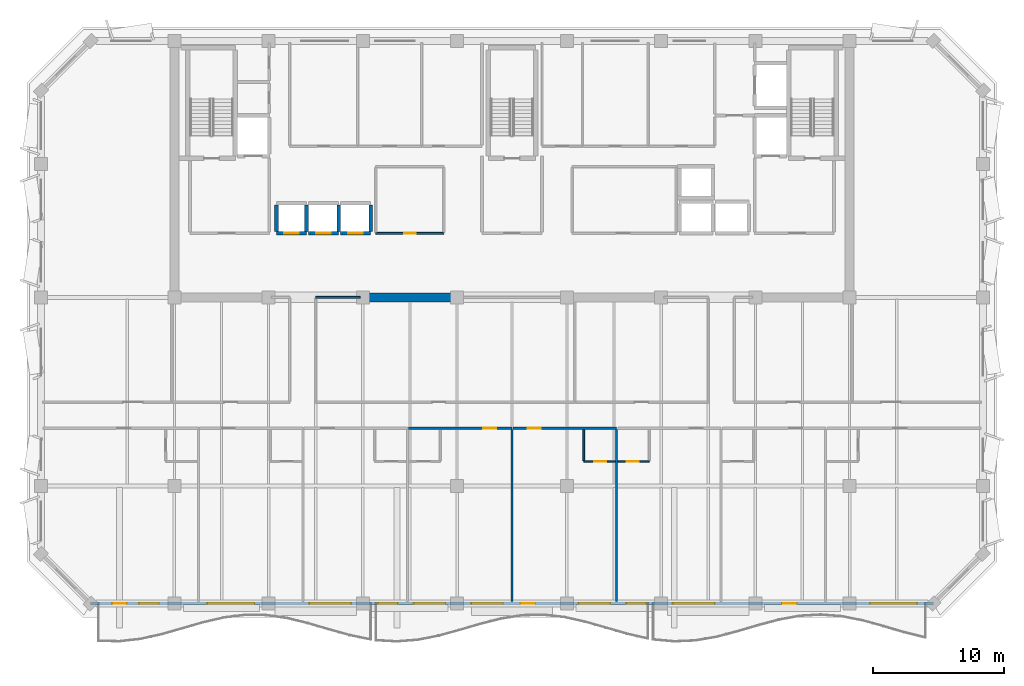
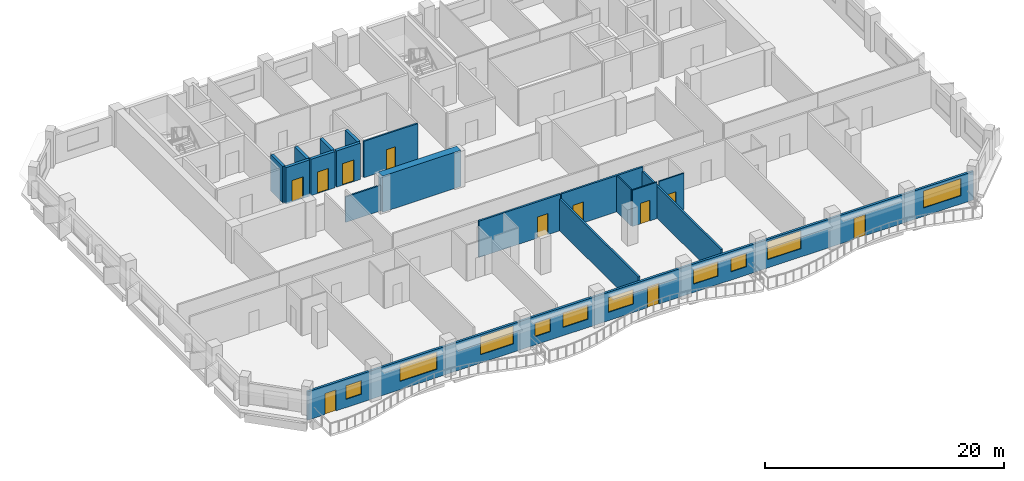
# One storey, part 4 of 11: 18 walls, 11 doors, 10 windows, 21 openings.
"""IFC4 building model written with IfcOpenShell, lengths in metres."""

from ifc_helpers import new_model, si_unit, direction, frame, frame_2d, origin, place, context, subcontext, project, spatial, rectangle, extrude, material, layer, layer_set, type_object, element, fill, save


model = new_model("IFC4")

# Units and contexts
model_context = context("Model", 3, precision=1e-05, world=origin(), true_north=direction((0.0, 1.0)))
body_context = subcontext(model_context, "Body", "Model", "MODEL_VIEW")
ifc_project = project(units=[si_unit("LENGTHUNIT", "METRE"), si_unit("AREAUNIT", "SQUARE_METRE"), si_unit("VOLUMEUNIT", "CUBIC_METRE"), si_unit("PLANEANGLEUNIT", "RADIAN"), si_unit("MASSUNIT", "GRAM", prefix="KILO")], contexts=[model_context])

# Site, building, storey
site_placement = place(None, origin())
site = spatial("IfcSite", under=ifc_project, at=site_placement, CompositionType="ELEMENT")
building_placement = place(site_placement, origin())
building = spatial("IfcBuilding", under=site, at=building_placement, Name="Kaelvorn Grand Hotel", CompositionType="ELEMENT")
storey_placement = place(building_placement, frame((0.0, 0.0, 244.949951171875)))
storey = spatial("IfcBuildingStorey", under=building, at=storey_placement, Name="L60", CompositionType="ELEMENT", Elevation=244.949951171875)

# Wall
ifc_material_1 = material(Name="Concrete C50/60", Category="concrete")
ifc_layer_1 = layer(ifc_material_1, 0.699951171875)
ifc_layer_set_1 = layer_set([ifc_layer_1], Name="Concrete C50/60")
wall_type_1 = type_object("IfcWallType", Name="WL-CORE-700-C50", PredefinedType="SHEAR", material=ifc_layer_set_1)
wall_1_placement = place(storey_placement, frame((30.39990234375, 29.39990234375, 0.0), z_axis=(0.0, 0.0, 1.0), x_axis=(1.0, 0.0, 0.0)))
element("IfcWall", 1, at=wall_1_placement, inside=storey, type_object=wall_type_1, Name="L60 Rear-Core Coupled Shear Pier S2", PredefinedType="SHEAR", context=body_context, shape_type="SweptSolid", body=[
    extrude(rectangle(XDim=7.60009765625, YDim=0.699951171875, at=frame_2d((3.800048828125, 0.0))), origin(), (0.0, 0.0, 1.0), 3.7099609375),
])

# Wall, openings, doors, windows
ifc_material_2 = material(Name="Concrete C40/50", Category="concrete")
ifc_layer_2 = layer(ifc_material_2, 0.219970703125)
ifc_layer_set_2 = layer_set([ifc_layer_2], Name="Concrete C40/50")
wall_type_2 = type_object("IfcWallType", Name="WL-EXT-220-C40", PredefinedType="SOLIDWALL", material=ifc_layer_set_2)
wall_2_placement = place(storey_placement, frame((9.800048828125, 6.0, 0.0), z_axis=(0.0, 0.0, 1.0), x_axis=(1.0, 0.0, 0.0)))
wall_2 = element("IfcWall", 2, at=wall_2_placement, inside=storey, type_object=wall_type_2, Name="L60 Exterior Architectural Concrete Wall 01", PredefinedType="SOLIDWALL", context=body_context, shape_type="SweptSolid", body=[
    extrude(rectangle(XDim=64.39990234375, YDim=0.219970703125, at=frame_2d((32.199951171875, 0.0))), origin(), (0.0, 0.0, 1.0), 2.91015625),
])
opening_1_placement = place(wall_2_placement, frame((1.64990234375, 0.0, 0.0)))
opening_1 = element("IfcOpeningElement", 3, at=opening_1_placement, cuts=wall_2, Name="Opening DE2", PredefinedType="OPENING", context=body_context, shape_type="SweptSolid", body=[
    extrude(rectangle(XDim=1.10009765625, YDim=2.14990234375, at=frame_2d((0.550048828125, 1.074951171875))), frame((0.0, 0.1201171875, 0.0), z_axis=(0.0, -1.0, 0.0), x_axis=(1.0, 0.0, 0.0)), (0.0, 0.0, 1.0), 0.239990234375),
])
opening_2_placement = place(wall_2_placement, frame((32.85009765625, 0.0, 0.0)))
opening_2 = element("IfcOpeningElement", 4, at=opening_2_placement, cuts=wall_2, Name="Opening DE2", PredefinedType="OPENING", context=body_context, shape_type="SweptSolid", body=[
    extrude(rectangle(XDim=1.10009765625, YDim=2.14990234375, at=frame_2d((0.550048828125, 1.074951171875))), frame((0.0, 0.1201171875, 0.0), z_axis=(0.0, -1.0, 0.0), x_axis=(1.0, 0.0, 0.0)), (0.0, 0.0, 1.0), 0.239990234375),
])
opening_3_placement = place(wall_2_placement, frame((52.85009765625, 0.0, 0.0)))
opening_3 = element("IfcOpeningElement", 5, at=opening_3_placement, cuts=wall_2, Name="Opening DE2", PredefinedType="OPENING", context=body_context, shape_type="SweptSolid", body=[
    extrude(rectangle(XDim=1.10009765625, YDim=2.14990234375, at=frame_2d((0.550048828125, 1.074951171875))), frame((0.0, 0.1201171875, 0.0), z_axis=(0.0, -1.0, 0.0), x_axis=(1.0, 0.0, 0.0)), (0.0, 0.0, 1.0), 0.239990234375),
])
opening_4_placement = place(wall_2_placement, frame((3.7099609375, 0.0, 0.85009765625)))
opening_4 = element("IfcOpeningElement", 6, at=opening_4_placement, cuts=wall_2, Name="Opening W10", PredefinedType="OPENING", context=body_context, shape_type="SweptSolid", body=[
    extrude(rectangle(XDim=1.5, YDim=1.39990234375, at=frame_2d((0.75, 0.699951171875))), frame((0.0, 0.1201171875, 0.0), z_axis=(0.0, -1.0, 0.0), x_axis=(1.0, 0.0, 0.0)), (0.0, 0.0, 1.0), 0.239990234375),
])
opening_5_placement = place(wall_2_placement, frame((8.9189453125, 0.0, 0.85009765625)))
opening_5 = element("IfcOpeningElement", 7, at=opening_5_placement, cuts=wall_2, Name="Opening W3", PredefinedType="OPENING", context=body_context, shape_type="SweptSolid", body=[
    extrude(rectangle(XDim=3.60009765625, YDim=1.75, at=frame_2d((1.800048828125, 0.875))), frame((0.0, 0.1201171875, 0.0), z_axis=(0.0, -1.0, 0.0), x_axis=(1.0, 0.0, 0.0)), (0.0, 0.0, 1.0), 0.239990234375),
])
opening_6_placement = place(wall_2_placement, frame((16.71240234375, 0.0, 0.85009765625)))
opening_6 = element("IfcOpeningElement", 8, at=opening_6_placement, cuts=wall_2, Name="Opening W4", PredefinedType="OPENING", context=body_context, shape_type="SweptSolid", body=[
    extrude(rectangle(XDim=3.199951171875, YDim=1.85009765625, at=frame_2d((1.60009765625, 0.925048828125))), frame((0.0, 0.1201171875, 0.0), z_axis=(0.0, -1.0, 0.0), x_axis=(1.0, 0.0, 0.0)), (0.0, 0.0, 1.0), 0.239990234375),
])
opening_7_placement = place(wall_2_placement, frame((21.95654296875, 0.0, 0.85009765625)))
opening_7 = element("IfcOpeningElement", 9, at=opening_7_placement, cuts=wall_2, Name="Opening W10", PredefinedType="OPENING", context=body_context, shape_type="SweptSolid", body=[
    extrude(rectangle(XDim=1.5, YDim=1.39990234375, at=frame_2d((0.75, 0.699951171875))), frame((0.0, 0.1201171875, 0.0), z_axis=(0.0, -1.0, 0.0), x_axis=(1.0, 0.0, 0.0)), (0.0, 0.0, 1.0), 0.239990234375),
])
opening_8_placement = place(wall_2_placement, frame((24.70654296875, 0.0, 0.85009765625)))
opening_8 = element("IfcOpeningElement", 10, at=opening_8_placement, cuts=wall_2, Name="Opening W6", PredefinedType="OPENING", context=body_context, shape_type="SweptSolid", body=[
    extrude(rectangle(XDim=2.39990234375, YDim=1.5, at=frame_2d((1.199951171875, 0.75))), frame((0.0, 0.1201171875, 0.0), z_axis=(0.0, -1.0, 0.0), x_axis=(1.0, 0.0, 0.0)), (0.0, 0.0, 1.0), 0.239990234375),
])
opening_9_placement = place(wall_2_placement, frame((29.10009765625, 0.0, 0.85009765625)))
opening_9 = element("IfcOpeningElement", 11, at=opening_9_placement, cuts=wall_2, Name="Opening W6", PredefinedType="OPENING", context=body_context, shape_type="SweptSolid", body=[
    extrude(rectangle(XDim=2.39990234375, YDim=1.5, at=frame_2d((1.199951171875, 0.75))), frame((0.0, 0.1201171875, 0.0), z_axis=(0.0, -1.0, 0.0), x_axis=(1.0, 0.0, 0.0)), (0.0, 0.0, 1.0), 0.239990234375),
])
opening_10_placement = place(wall_2_placement, frame((37.29345703125, 0.0, 0.85009765625)))
opening_10 = element("IfcOpeningElement", 12, at=opening_10_placement, cuts=wall_2, Name="Opening W6", PredefinedType="OPENING", context=body_context, shape_type="SweptSolid", body=[
    extrude(rectangle(XDim=2.39990234375, YDim=1.5, at=frame_2d((1.199951171875, 0.75))), frame((0.0, 0.1201171875, 0.0), z_axis=(0.0, -1.0, 0.0), x_axis=(1.0, 0.0, 0.0)), (0.0, 0.0, 1.0), 0.239990234375),
])
opening_11_placement = place(wall_2_placement, frame((40.943603515625, 0.0, 0.85009765625)))
opening_11 = element("IfcOpeningElement", 13, at=opening_11_placement, cuts=wall_2, Name="Opening W10", PredefinedType="OPENING", context=body_context, shape_type="SweptSolid", body=[
    extrude(rectangle(XDim=1.5, YDim=1.39990234375, at=frame_2d((0.75, 0.699951171875))), frame((0.0, 0.1201171875, 0.0), z_axis=(0.0, -1.0, 0.0), x_axis=(1.0, 0.0, 0.0)), (0.0, 0.0, 1.0), 0.239990234375),
])
opening_12_placement = place(wall_2_placement, frame((44.487548828125, 0.0, 0.85009765625)))
opening_12 = element("IfcOpeningElement", 14, at=opening_12_placement, cuts=wall_2, Name="Opening W4", PredefinedType="OPENING", context=body_context, shape_type="SweptSolid", body=[
    extrude(rectangle(XDim=3.199951171875, YDim=1.85009765625, at=frame_2d((1.60009765625, 0.925048828125))), frame((0.0, 0.1201171875, 0.0), z_axis=(0.0, -1.0, 0.0), x_axis=(1.0, 0.0, 0.0)), (0.0, 0.0, 1.0), 0.239990234375),
])
opening_13_placement = place(wall_2_placement, frame((59.56494140625, 0.0, 0.85009765625)))
opening_13 = element("IfcOpeningElement", 15, at=opening_13_placement, cuts=wall_2, Name="Opening W3", PredefinedType="OPENING", context=body_context, shape_type="SweptSolid", body=[
    extrude(rectangle(XDim=3.60009765625, YDim=1.75, at=frame_2d((1.800048828125, 0.875))), frame((0.0, 0.1201171875, 0.0), z_axis=(0.0, -1.0, 0.0), x_axis=(1.0, 0.0, 0.0)), (0.0, 0.0, 1.0), 0.239990234375),
])
ifc_material_3 = material(Name="Anodised Aluminium", Category="aluminium")
door_type_1 = type_object("IfcDoorType", Name="DR-EXT-BALC-1100x2150", OperationType="NOTDEFINED", PredefinedType="DOOR", material=ifc_material_3)
door_1_placement = place(opening_1_placement, origin())
door_1 = element("IfcDoor", 16, at=door_1_placement, inside=storey, type_object=door_type_1, Name="L60 Scalloped Balcony Glazed Door DE2-1", OperationType="SINGLE_SWING_LEFT", OverallHeight=2.14990234375, OverallWidth=1.10009765625, PredefinedType="DOOR", context=body_context, shape_type="SweptSolid", body=[
    extrude(rectangle(XDim=1.10009765625, YDim=2.14990234375, at=frame_2d((0.550048828125, 1.074951171875))), frame((0.0, 0.02490234375, 0.0), z_axis=(0.0, -1.0, 0.0), x_axis=(1.0, 0.0, 0.0)), (0.0, 0.0, 1.0), 0.050048828125),
])
fill(opening_1, door_1)
door_2_placement = place(opening_2_placement, origin())
door_2 = element("IfcDoor", 17, at=door_2_placement, inside=storey, type_object=door_type_1, Name="L60 Scalloped Balcony Glazed Door DE2-2", OperationType="SINGLE_SWING_RIGHT", OverallHeight=2.14990234375, OverallWidth=1.10009765625, PredefinedType="DOOR", context=body_context, shape_type="SweptSolid", body=[
    extrude(rectangle(XDim=1.10009765625, YDim=2.14990234375, at=frame_2d((0.550048828125, 1.074951171875))), frame((0.0, 0.02490234375, 0.0), z_axis=(0.0, -1.0, 0.0), x_axis=(1.0, 0.0, 0.0)), (0.0, 0.0, 1.0), 0.050048828125),
])
fill(opening_2, door_2)
door_3_placement = place(opening_3_placement, origin())
door_3 = element("IfcDoor", 18, at=door_3_placement, inside=storey, type_object=door_type_1, Name="L60 Scalloped Balcony Glazed Door DE2-3", OperationType="SINGLE_SWING_LEFT", OverallHeight=2.14990234375, OverallWidth=1.10009765625, PredefinedType="DOOR", context=body_context, shape_type="SweptSolid", body=[
    extrude(rectangle(XDim=1.10009765625, YDim=2.14990234375, at=frame_2d((0.550048828125, 1.074951171875))), frame((0.0, 0.02490234375, 0.0), z_axis=(0.0, -1.0, 0.0), x_axis=(1.0, 0.0, 0.0)), (0.0, 0.0, 1.0), 0.050048828125),
])
fill(opening_3, door_3)
ifc_material_4 = material(Name="Laminated Low-E Glass", Category="glass")
window_type_1 = type_object("IfcWindowType", Name="WIN-COR-1500x1400", PartitioningType="SINGLE_PANEL", PredefinedType="WINDOW", material=ifc_material_4)
window_1_placement = place(opening_4_placement, origin())
window_1 = element("IfcWindow", 19, at=window_1_placement, inside=storey, type_object=window_type_1, Name="L60 South Guestroom Ribbon Window SR01", OverallHeight=1.39990234375, OverallWidth=1.5, PartitioningType="SINGLE_PANEL", PredefinedType="WINDOW", context=body_context, shape_type="SweptSolid", body=[
    extrude(rectangle(XDim=1.5, YDim=1.39990234375, at=frame_2d((0.75, 0.699951171875))), frame((0.0, 0.030029296875, 0.0), z_axis=(0.0, -1.0, 0.0), x_axis=(1.0, 0.0, 0.0)), (0.0, 0.0, 1.0), 0.06005859375),
])
fill(opening_4, window_1)
window_2_placement = place(opening_7_placement, origin())
window_2 = element("IfcWindow", 20, at=window_2_placement, inside=storey, type_object=window_type_1, Name="L60 South Guestroom Ribbon Window SR04", OverallHeight=1.39990234375, OverallWidth=1.5, PartitioningType="SINGLE_PANEL", PredefinedType="WINDOW", context=body_context, shape_type="SweptSolid", body=[
    extrude(rectangle(XDim=1.5, YDim=1.39990234375, at=frame_2d((0.75, 0.699951171875))), frame((0.0, 0.030029296875, 0.0), z_axis=(0.0, -1.0, 0.0), x_axis=(1.0, 0.0, 0.0)), (0.0, 0.0, 1.0), 0.06005859375),
])
fill(opening_7, window_2)
window_3_placement = place(opening_11_placement, origin())
window_3 = element("IfcWindow", 21, at=window_3_placement, inside=storey, type_object=window_type_1, Name="L60 South Guestroom Ribbon Window SR08", OverallHeight=1.39990234375, OverallWidth=1.5, PartitioningType="SINGLE_PANEL", PredefinedType="WINDOW", context=body_context, shape_type="SweptSolid", body=[
    extrude(rectangle(XDim=1.5, YDim=1.39990234375, at=frame_2d((0.75, 0.699951171875))), frame((0.0, 0.030029296875, 0.0), z_axis=(0.0, -1.0, 0.0), x_axis=(1.0, 0.0, 0.0)), (0.0, 0.0, 1.0), 0.06005859375),
])
fill(opening_11, window_3)
window_type_2 = type_object("IfcWindowType", Name="WIN-NTH-2400x1500", PartitioningType="SINGLE_PANEL", PredefinedType="WINDOW", material=ifc_material_4)
window_4_placement = place(opening_8_placement, origin())
window_4 = element("IfcWindow", 22, at=window_4_placement, inside=storey, type_object=window_type_2, Name="L60 South Guestroom Ribbon Window SR05", OverallHeight=1.5, OverallWidth=2.39990234375, PartitioningType="SINGLE_PANEL", PredefinedType="WINDOW", context=body_context, shape_type="SweptSolid", body=[
    extrude(rectangle(XDim=2.39990234375, YDim=1.5, at=frame_2d((1.199951171875, 0.75))), frame((0.0, 0.030029296875, 0.0), z_axis=(0.0, -1.0, 0.0), x_axis=(1.0, 0.0, 0.0)), (0.0, 0.0, 1.0), 0.06005859375),
])
fill(opening_8, window_4)
window_5_placement = place(opening_9_placement, origin())
window_5 = element("IfcWindow", 23, at=window_5_placement, inside=storey, type_object=window_type_2, Name="L60 South Guestroom Ribbon Window SR06", OverallHeight=1.5, OverallWidth=2.39990234375, PartitioningType="SINGLE_PANEL", PredefinedType="WINDOW", context=body_context, shape_type="SweptSolid", body=[
    extrude(rectangle(XDim=2.39990234375, YDim=1.5, at=frame_2d((1.199951171875, 0.75))), frame((0.0, 0.030029296875, 0.0), z_axis=(0.0, -1.0, 0.0), x_axis=(1.0, 0.0, 0.0)), (0.0, 0.0, 1.0), 0.06005859375),
])
fill(opening_9, window_5)
window_6_placement = place(opening_10_placement, origin())
window_6 = element("IfcWindow", 24, at=window_6_placement, inside=storey, type_object=window_type_2, Name="L60 South Guestroom Ribbon Window SR07", OverallHeight=1.5, OverallWidth=2.39990234375, PartitioningType="SINGLE_PANEL", PredefinedType="WINDOW", context=body_context, shape_type="SweptSolid", body=[
    extrude(rectangle(XDim=2.39990234375, YDim=1.5, at=frame_2d((1.199951171875, 0.75))), frame((0.0, 0.030029296875, 0.0), z_axis=(0.0, -1.0, 0.0), x_axis=(1.0, 0.0, 0.0)), (0.0, 0.0, 1.0), 0.06005859375),
])
fill(opening_10, window_6)
window_type_3 = type_object("IfcWindowType", Name="WIN-RIB-3200x1850", PartitioningType="SINGLE_PANEL", PredefinedType="WINDOW", material=ifc_material_4)
window_7_placement = place(opening_6_placement, origin())
window_7 = element("IfcWindow", 25, at=window_7_placement, inside=storey, type_object=window_type_3, Name="L60 South Guestroom Ribbon Window SR03", OverallHeight=1.85009765625, OverallWidth=3.199951171875, PartitioningType="SINGLE_PANEL", PredefinedType="WINDOW", context=body_context, shape_type="SweptSolid", body=[
    extrude(rectangle(XDim=3.199951171875, YDim=1.85009765625, at=frame_2d((1.60009765625, 0.925048828125))), frame((0.0, 0.030029296875, 0.0), z_axis=(0.0, -1.0, 0.0), x_axis=(1.0, 0.0, 0.0)), (0.0, 0.0, 1.0), 0.06005859375),
])
fill(opening_6, window_7)
window_8_placement = place(opening_12_placement, origin())
window_8 = element("IfcWindow", 26, at=window_8_placement, inside=storey, type_object=window_type_3, Name="L60 South Guestroom Ribbon Window SR09", OverallHeight=1.85009765625, OverallWidth=3.199951171875, PartitioningType="SINGLE_PANEL", PredefinedType="WINDOW", context=body_context, shape_type="SweptSolid", body=[
    extrude(rectangle(XDim=3.199951171875, YDim=1.85009765625, at=frame_2d((1.60009765625, 0.925048828125))), frame((0.0, 0.030029296875, 0.0), z_axis=(0.0, -1.0, 0.0), x_axis=(1.0, 0.0, 0.0)), (0.0, 0.0, 1.0), 0.06005859375),
])
fill(opening_12, window_8)
window_type_4 = type_object("IfcWindowType", Name="WIN-RIB-3600x1750", PartitioningType="SINGLE_PANEL", PredefinedType="WINDOW", material=ifc_material_4)
window_9_placement = place(opening_5_placement, origin())
window_9 = element("IfcWindow", 27, at=window_9_placement, inside=storey, type_object=window_type_4, Name="L60 South Guestroom Ribbon Window SR02", OverallHeight=1.75, OverallWidth=3.60009765625, PartitioningType="SINGLE_PANEL", PredefinedType="WINDOW", context=body_context, shape_type="SweptSolid", body=[
    extrude(rectangle(XDim=3.60009765625, YDim=1.75, at=frame_2d((1.800048828125, 0.875))), frame((0.0, 0.030029296875, 0.0), z_axis=(0.0, -1.0, 0.0), x_axis=(1.0, 0.0, 0.0)), (0.0, 0.0, 1.0), 0.06005859375),
])
fill(opening_5, window_9)
window_10_placement = place(opening_13_placement, origin())
window_10 = element("IfcWindow", 28, at=window_10_placement, inside=storey, type_object=window_type_4, Name="L60 South Guestroom Ribbon Window SR10", OverallHeight=1.75, OverallWidth=3.60009765625, PartitioningType="SINGLE_PANEL", PredefinedType="WINDOW", context=body_context, shape_type="SweptSolid", body=[
    extrude(rectangle(XDim=3.60009765625, YDim=1.75, at=frame_2d((1.800048828125, 0.875))), frame((0.0, 0.030029296875, 0.0), z_axis=(0.0, -1.0, 0.0), x_axis=(1.0, 0.0, 0.0)), (0.0, 0.0, 1.0), 0.06005859375),
])
fill(opening_13, window_10)

# Wall, opening, door
ifc_material_5 = material(Name="Moisture-Resistant Tile & Stud Board")
ifc_layer_3 = layer(ifc_material_5, 0.125)
ifc_layer_set_3 = layer_set([ifc_layer_3], Name="Moisture-Resistant Tile & Stud Board")
wall_type_3 = type_object("IfcWallType", Name="WL-PART-125-WET", PredefinedType="PARTITIONING", material=ifc_layer_set_3)
wall_3_placement = place(storey_placement, frame((47.487548828125, 16.85009765625, 0.0), z_axis=(0.0, 0.0, 1.0), x_axis=(1.0, 0.0, 0.0)))
wall_3 = element("IfcWall", 29, at=wall_3_placement, inside=storey, type_object=wall_type_3, Name="L60 En-suite Bathroom L60-05 S Partition", PredefinedType="PARTITIONING", context=body_context, shape_type="SweptSolid", body=[
    extrude(rectangle(XDim=2.405029296875, YDim=0.125, at=frame_2d((1.20263671875, 0.0))), origin(), (0.0, 0.0, 1.0), 3.7099609375),
])
opening_14_placement = place(wall_3_placement, frame((0.800048828125, 0.0, 0.0)))
opening_14 = element("IfcOpeningElement", 30, at=opening_14_placement, cuts=wall_3, Name="Opening DI4", PredefinedType="OPENING", context=body_context, shape_type="SweptSolid", body=[
    extrude(rectangle(XDim=0.89990234375, YDim=2.10009765625, at=frame_2d((0.449951171875, 1.050048828125))), frame((0.0, 0.072509765625, 0.0), z_axis=(0.0, -1.0, 0.0), x_axis=(1.0, 0.0, 0.0)), (0.0, 0.0, 1.0), 0.14501953125),
])
ifc_material_6 = material(Name="Timber Veneer Leaf", Category="wood")
door_type_2 = type_object("IfcDoorType", Name="DR-INT-BATH-900x2100", OperationType="NOTDEFINED", PredefinedType="DOOR", material=ifc_material_6)
door_4_placement = place(opening_14_placement, origin())
door_4 = element("IfcDoor", 31, at=door_4_placement, inside=storey, type_object=door_type_2, Name="L60 En-suite Bathroom L60-05 Door", OperationType="SINGLE_SWING_RIGHT", OverallHeight=2.10009765625, OverallWidth=0.89990234375, PredefinedType="DOOR", context=body_context, shape_type="SweptSolid", body=[
    extrude(rectangle(XDim=0.89990234375, YDim=2.10009765625, at=frame_2d((0.449951171875, 1.050048828125))), frame((0.0, 0.02490234375, 0.0), z_axis=(0.0, -1.0, 0.0), x_axis=(1.0, 0.0, 0.0)), (0.0, 0.0, 1.0), 0.050048828125),
])
fill(opening_14, door_4)

# Wall
wall_4_placement = place(storey_placement, frame((47.487548828125, 16.91748046875, 0.0), z_axis=(0.0, 0.0, 1.0), x_axis=(0.0, 1.0, 0.0)))
element("IfcWall", 32, at=wall_4_placement, inside=storey, type_object=wall_type_3, Name="L60 En-suite Bathroom L60-05 W Partition", PredefinedType="PARTITIONING", context=body_context, shape_type="SweptSolid", body=[
    extrude(rectangle(XDim=2.387451171875, YDim=0.125, at=frame_2d((1.19384765625, 0.0))), origin(), (0.0, 0.0, 1.0), 3.7099609375),
])

# Wall, opening, door
wall_5_placement = place(storey_placement, frame((50.08251953125, 16.85009765625, 0.0), z_axis=(0.0, 0.0, 1.0), x_axis=(1.0, 0.0, 0.0)))
wall_5 = element("IfcWall", 33, at=wall_5_placement, inside=storey, type_object=wall_type_3, Name="L60 En-suite Bathroom L60-06 S Partition", PredefinedType="PARTITIONING", context=body_context, shape_type="SweptSolid", body=[
    extrude(rectangle(XDim=2.405029296875, YDim=0.125, at=frame_2d((1.20263671875, 0.0))), origin(), (0.0, 0.0, 1.0), 3.7099609375),
])
opening_15_placement = place(wall_5_placement, frame((0.705078125, 0.0, 0.0)))
opening_15 = element("IfcOpeningElement", 34, at=opening_15_placement, cuts=wall_5, Name="Opening DI4", PredefinedType="OPENING", context=body_context, shape_type="SweptSolid", body=[
    extrude(rectangle(XDim=0.89990234375, YDim=2.10009765625, at=frame_2d((0.449951171875, 1.050048828125))), frame((0.0, 0.072509765625, 0.0), z_axis=(0.0, -1.0, 0.0), x_axis=(1.0, 0.0, 0.0)), (0.0, 0.0, 1.0), 0.14501953125),
])
door_5_placement = place(opening_15_placement, origin())
door_5 = element("IfcDoor", 35, at=door_5_placement, inside=storey, type_object=door_type_2, Name="L60 En-suite Bathroom L60-06 Door", OperationType="SINGLE_SWING_RIGHT", OverallHeight=2.10009765625, OverallWidth=0.89990234375, PredefinedType="DOOR", context=body_context, shape_type="SweptSolid", body=[
    extrude(rectangle(XDim=0.89990234375, YDim=2.10009765625, at=frame_2d((0.449951171875, 1.050048828125))), frame((0.0, 0.02490234375, 0.0), z_axis=(0.0, -1.0, 0.0), x_axis=(1.0, 0.0, 0.0)), (0.0, 0.0, 1.0), 0.050048828125),
])
fill(opening_15, door_5)

ifc_material_7 = material(Name="Acoustic Gypsum & Stud Partition")
ifc_layer_4 = layer(ifc_material_7, 0.14990234375)
ifc_layer_set_4 = layer_set([ifc_layer_4], Name="Acoustic Gypsum & Stud Partition")
wall_type_4 = type_object("IfcWallType", Name="WL-PART-150-EI60", PredefinedType="PARTITIONING", material=ifc_layer_set_4)
wall_6_placement = place(storey_placement, frame((31.60009765625, 34.300048828125, 0.0), z_axis=(0.0, 0.0, 1.0), x_axis=(1.0, 0.0, 0.0)))
wall_6 = element("IfcWall", 36, at=wall_6_placement, inside=storey, type_object=wall_type_4, Name="L60 Core Telecoms & BMS Server Room S Partition", PredefinedType="PARTITIONING", context=body_context, shape_type="SweptSolid", body=[
    extrude(rectangle(XDim=5.199951171875, YDim=0.14990234375, at=frame_2d((2.60009765625, 0.0))), origin(), (0.0, 0.0, 1.0), 3.7099609375),
])
opening_16_placement = place(wall_6_placement, frame((2.175048828125, 0.0, 0.0)))
opening_16 = element("IfcOpeningElement", 37, at=opening_16_placement, cuts=wall_6, Name="Opening DI7", PredefinedType="OPENING", context=body_context, shape_type="SweptSolid", body=[
    extrude(rectangle(XDim=0.85009765625, YDim=2.10009765625, at=frame_2d((0.425048828125, 1.050048828125))), frame((0.0, 0.0849609375, 0.0), z_axis=(0.0, -1.0, 0.0), x_axis=(1.0, 0.0, 0.0)), (0.0, 0.0, 1.0), 0.169921875),
])
ifc_material_8 = material(Name="Powder-Coated Steel Leaf", Category="steel")
door_type_3 = type_object("IfcDoorType", Name="DR-INT-RISER-850x2100", OperationType="NOTDEFINED", PredefinedType="DOOR", material=ifc_material_8)
door_6_placement = place(opening_16_placement, origin())
door_6 = element("IfcDoor", 38, at=door_6_placement, inside=storey, type_object=door_type_3, Name="L60 Core Telecoms & BMS Server Room Door", OperationType="SINGLE_SWING_LEFT", OverallHeight=2.10009765625, OverallWidth=0.85009765625, PredefinedType="DOOR", context=body_context, shape_type="SweptSolid", body=[
    extrude(rectangle(XDim=0.85009765625, YDim=2.10009765625, at=frame_2d((0.425048828125, 1.050048828125))), frame((0.0, 0.02490234375, 0.0), z_axis=(0.0, -1.0, 0.0), x_axis=(1.0, 0.0, 0.0)), (0.0, 0.0, 1.0), 0.050048828125),
])
fill(opening_16, door_6)

# Wall
wall_7_placement = place(storey_placement, frame((27.0, 29.39990234375, 0.0), z_axis=(0.0, 0.0, 1.0), x_axis=(1.0, 0.0, 0.0)))
element("IfcWall", 39, at=wall_7_placement, inside=storey, type_object=wall_type_4, Name="L60 Hospitality Tea Kitchen N Partition (1)", PredefinedType="PARTITIONING", context=body_context, shape_type="SweptSolid", body=[
    extrude(rectangle(XDim=3.389892578125, YDim=0.14990234375, at=frame_2d((1.69482421875, 0.0))), origin(), (0.0, 0.0, 1.0), 2.610107421875),
])

# Wall, opening, door
ifc_layer_5 = layer(ifc_material_7, 0.179931640625)
ifc_layer_set_5 = layer_set([ifc_layer_5], Name="Acoustic Gypsum & Stud Partition")
wall_type_5 = type_object("IfcWallType", Name="WL-PART-180-EI60", PredefinedType="PARTITIONING", material=ifc_layer_set_5)
wall_8_placement = place(storey_placement, frame((34.107421875, 19.39990234375, 0.0), z_axis=(0.0, 0.0, 1.0), x_axis=(1.0, 0.0, 0.0)))
wall_8 = element("IfcWall", 40, at=wall_8_placement, inside=storey, type_object=wall_type_5, Name="L60 Ambassador Junior Suite L60-04 N Partition", PredefinedType="PARTITIONING", context=body_context, shape_type="SweptSolid", body=[
    extrude(rectangle(XDim=7.892578125, YDim=0.179931640625, at=frame_2d((3.9462890625, 0.0))), origin(), (0.0, 0.0, 1.0), 3.7099609375),
])
opening_17_placement = place(wall_8_placement, frame((5.6826171875, 0.0, 0.0)))
opening_17 = element("IfcOpeningElement", 41, at=opening_17_placement, cuts=wall_8, Name="Opening DI3", PredefinedType="OPENING", context=body_context, shape_type="SweptSolid", body=[
    extrude(rectangle(XDim=1.0, YDim=2.14990234375, at=frame_2d((0.5, 1.074951171875))), frame((0.0, 0.10009765625, 0.0), z_axis=(0.0, -1.0, 0.0), x_axis=(1.0, 0.0, 0.0)), (0.0, 0.0, 1.0), 0.199951171875),
])
ifc_material_9 = material(Name="Timber Veneer Fire Leaf", Category="wood")
door_type_4 = type_object("IfcDoorType", Name="DR-INT-GUEST-1000x2150", OperationType="NOTDEFINED", PredefinedType="DOOR", material=ifc_material_9)
door_7_placement = place(opening_17_placement, origin())
door_7 = element("IfcDoor", 42, at=door_7_placement, inside=storey, type_object=door_type_4, Name="L60 Ambassador Junior Suite L60-04 Door", OperationType="SINGLE_SWING_LEFT", OverallHeight=2.14990234375, OverallWidth=1.0, PredefinedType="DOOR", context=body_context, shape_type="SweptSolid", body=[
    extrude(rectangle(XDim=1.0, YDim=2.14990234375, at=frame_2d((0.5, 1.074951171875))), frame((0.0, 0.02490234375, 0.0), z_axis=(0.0, -1.0, 0.0), x_axis=(1.0, 0.0, 0.0)), (0.0, 0.0, 1.0), 0.050048828125),
])
fill(opening_17, door_7)

# Wall
wall_9_placement = place(storey_placement, frame((42.0, 6.14990234375, 0.0), z_axis=(0.0, 0.0, 1.0), x_axis=(0.0, 1.0, 0.0)))
element("IfcWall", 43, at=wall_9_placement, inside=storey, type_object=wall_type_5, Name="L60 Ambassador Junior Suite L60-04 E Partition", PredefinedType="PARTITIONING", context=body_context, shape_type="SweptSolid", body=[
    extrude(rectangle(XDim=13.155029296875, YDim=0.179931640625, at=frame_2d((6.57763671875, 0.0))), origin(), (0.0, 0.0, 1.0), 3.260009765625),
])

# Wall, opening, door
wall_10_placement = place(storey_placement, frame((42.094970703125, 19.39990234375, 0.0), z_axis=(0.0, 0.0, 1.0), x_axis=(1.0, 0.0, 0.0)))
wall_10 = element("IfcWall", 44, at=wall_10_placement, inside=storey, type_object=wall_type_5, Name="L60 Ambassador Sky Suite L60-05 N Partition", PredefinedType="PARTITIONING", context=body_context, shape_type="SweptSolid", body=[
    extrude(rectangle(XDim=7.892578125, YDim=0.179931640625, at=frame_2d((3.9462890625, 0.0))), origin(), (0.0, 0.0, 1.0), 3.7099609375),
])
opening_18_placement = place(wall_10_placement, frame((1.114990234375, 0.0, 0.0)))
opening_18 = element("IfcOpeningElement", 45, at=opening_18_placement, cuts=wall_10, Name="Opening DI3", PredefinedType="OPENING", context=body_context, shape_type="SweptSolid", body=[
    extrude(rectangle(XDim=1.0, YDim=2.14990234375, at=frame_2d((0.5, 1.074951171875))), frame((0.0, 0.10009765625, 0.0), z_axis=(0.0, -1.0, 0.0), x_axis=(1.0, 0.0, 0.0)), (0.0, 0.0, 1.0), 0.199951171875),
])
door_8_placement = place(opening_18_placement, origin())
door_8 = element("IfcDoor", 46, at=door_8_placement, inside=storey, type_object=door_type_4, Name="L60 Ambassador Sky Suite L60-05 Door", OperationType="SINGLE_SWING_LEFT", OverallHeight=2.14990234375, OverallWidth=1.0, PredefinedType="DOOR", context=body_context, shape_type="SweptSolid", body=[
    extrude(rectangle(XDim=1.0, YDim=2.14990234375, at=frame_2d((0.5, 1.074951171875))), frame((0.0, 0.02490234375, 0.0), z_axis=(0.0, -1.0, 0.0), x_axis=(1.0, 0.0, 0.0)), (0.0, 0.0, 1.0), 0.050048828125),
])
fill(opening_18, door_8)

# Wall
wall_11_placement = place(storey_placement, frame((49.987548828125, 6.14990234375, 0.0), z_axis=(0.0, 0.0, 1.0), x_axis=(0.0, 1.0, 0.0)))
element("IfcWall", 47, at=wall_11_placement, inside=storey, type_object=wall_type_5, Name="L60 Ambassador Sky Suite L60-05 E Partition", PredefinedType="PARTITIONING", context=body_context, shape_type="SweptSolid", body=[
    extrude(rectangle(XDim=13.155029296875, YDim=0.179931640625, at=frame_2d((6.57763671875, 0.0))), origin(), (0.0, 0.0, 1.0), 3.260009765625),
])

# Wall, opening, door
ifc_layer_6 = layer(ifc_material_1, 0.280029296875)
ifc_layer_set_6 = layer_set([ifc_layer_6], Name="Concrete C50/60")
wall_type_6 = type_object("IfcWallType", Name="WL-SHAFT-280-C50", PredefinedType="SHEAR", material=ifc_layer_set_6)
wall_12_placement = place(storey_placement, frame((24.0, 34.300048828125, 0.0), z_axis=(0.0, 0.0, 1.0), x_axis=(1.0, 0.0, 0.0)))
wall_12 = element("IfcWall", 48, at=wall_12_placement, inside=storey, type_object=wall_type_6, Name="L60 Lift PL-H1 Shaft South Wall", PredefinedType="SHEAR", context=body_context, shape_type="SweptSolid", body=[
    extrude(rectangle(XDim=2.300048828125, YDim=0.280029296875, at=frame_2d((1.14990234375, 0.0))), origin(), (0.0, 0.0, 1.0), 3.7099609375),
])
opening_19_placement = place(wall_12_placement, frame((0.60009765625, 0.0, 0.0)))
opening_19 = element("IfcOpeningElement", 49, at=opening_19_placement, cuts=wall_12, Name="Opening LD-PL-H1", PredefinedType="OPENING", context=body_context, shape_type="SweptSolid", body=[
    extrude(rectangle(XDim=1.10009765625, YDim=2.199951171875, at=frame_2d((0.550048828125, 1.10009765625))), frame((0.0, 0.14990234375, 0.0), z_axis=(0.0, -1.0, 0.0), x_axis=(1.0, 0.0, 0.0)), (0.0, 0.0, 1.0), 0.300048828125),
])
ifc_material_10 = material(Name="Stainless Steel", Category="steel")
door_type_5 = type_object("IfcDoorType", Name="DR-LIFT-PASS-1100x2200", OperationType="DOUBLE_DOOR_SLIDING", PredefinedType="DOOR", material=ifc_material_10)
door_9_placement = place(opening_19_placement, origin())
door_9 = element("IfcDoor", 50, at=door_9_placement, inside=storey, type_object=door_type_5, Name="L60 Lift PL-H1 Sliding Landing Door LD-PL-H1", OperationType="DOUBLE_DOOR_SLIDING", OverallHeight=2.199951171875, OverallWidth=1.10009765625, PredefinedType="DOOR", context=body_context, shape_type="SweptSolid", body=[
    extrude(rectangle(XDim=1.10009765625, YDim=2.199951171875, at=frame_2d((0.550048828125, 1.10009765625))), frame((0.0, 0.02490234375, 0.0), z_axis=(0.0, -1.0, 0.0), x_axis=(1.0, 0.0, 0.0)), (0.0, 0.0, 1.0), 0.050048828125),
])
fill(opening_19, door_9)

# Walls
for number, where, z_axis, x_axis, name in (
    (51, (24.0, 34.445068359375, 0.0), (0.0, 0.0, 1.0), (0.0, 1.0, 0.0), "L60 Lift PL-H1 Shaft West Wall"),
    (52, (26.300048828125, 34.445068359375, 0.0), (0.0, 0.0, 1.0), (0.0, 1.0, 0.0), "L60 Lift PL-H1 Shaft East Wall"),
):
    element("IfcWall", number, at=place(storey_placement, frame(where, z_axis=z_axis, x_axis=x_axis)), inside=storey, type_object=wall_type_6, Name=name, PredefinedType="SHEAR", context=body_context, shape_type="SweptSolid", body=[
        extrude(rectangle(XDim=2.010009765625, YDim=0.280029296875, at=frame_2d((1.0048828125, 0.0))), origin(), (0.0, 0.0, 1.0), 3.7099609375),
    ])

# Wall, opening, door
wall_13_placement = place(storey_placement, frame((26.449951171875, 34.300048828125, 0.0), z_axis=(0.0, 0.0, 1.0), x_axis=(1.0, 0.0, 0.0)))
wall_13 = element("IfcWall", 53, at=wall_13_placement, inside=storey, type_object=wall_type_6, Name="L60 Lift PL-H2 Shaft South Wall", PredefinedType="SHEAR", context=body_context, shape_type="SweptSolid", body=[
    extrude(rectangle(XDim=2.300048828125, YDim=0.280029296875, at=frame_2d((1.14990234375, 0.0))), origin(), (0.0, 0.0, 1.0), 3.7099609375),
])
opening_20_placement = place(wall_13_placement, frame((0.60009765625, 0.0, 0.0)))
opening_20 = element("IfcOpeningElement", 54, at=opening_20_placement, cuts=wall_13, Name="Opening LD-PL-H2", PredefinedType="OPENING", context=body_context, shape_type="SweptSolid", body=[
    extrude(rectangle(XDim=1.10009765625, YDim=2.199951171875, at=frame_2d((0.550048828125, 1.10009765625))), frame((0.0, 0.14990234375, 0.0), z_axis=(0.0, -1.0, 0.0), x_axis=(1.0, 0.0, 0.0)), (0.0, 0.0, 1.0), 0.300048828125),
])
door_10_placement = place(opening_20_placement, origin())
door_10 = element("IfcDoor", 55, at=door_10_placement, inside=storey, type_object=door_type_5, Name="L60 Lift PL-H2 Sliding Landing Door LD-PL-H2", OperationType="DOUBLE_DOOR_SLIDING", OverallHeight=2.199951171875, OverallWidth=1.10009765625, PredefinedType="DOOR", context=body_context, shape_type="SweptSolid", body=[
    extrude(rectangle(XDim=1.10009765625, YDim=2.199951171875, at=frame_2d((0.550048828125, 1.10009765625))), frame((0.0, 0.02490234375, 0.0), z_axis=(0.0, -1.0, 0.0), x_axis=(1.0, 0.0, 0.0)), (0.0, 0.0, 1.0), 0.050048828125),
])
fill(opening_20, door_10)

# Wall
wall_14_placement = place(storey_placement, frame((28.75, 34.445068359375, 0.0), z_axis=(0.0, 0.0, 1.0), x_axis=(0.0, 1.0, 0.0)))
element("IfcWall", 56, at=wall_14_placement, inside=storey, type_object=wall_type_6, Name="L60 Lift PL-H2 Shaft East Wall", PredefinedType="SHEAR", context=body_context, shape_type="SweptSolid", body=[
    extrude(rectangle(XDim=2.010009765625, YDim=0.280029296875, at=frame_2d((1.0048828125, 0.0))), origin(), (0.0, 0.0, 1.0), 3.7099609375),
])

# Wall, opening, door
wall_15_placement = place(storey_placement, frame((28.89990234375, 34.300048828125, 0.0), z_axis=(0.0, 0.0, 1.0), x_axis=(1.0, 0.0, 0.0)))
wall_15 = element("IfcWall", 57, at=wall_15_placement, inside=storey, type_object=wall_type_6, Name="L60 Lift PL-H3 Shaft South Wall", PredefinedType="SHEAR", context=body_context, shape_type="SweptSolid", body=[
    extrude(rectangle(XDim=2.300048828125, YDim=0.280029296875, at=frame_2d((1.14990234375, 0.0))), origin(), (0.0, 0.0, 1.0), 3.7099609375),
])
opening_21_placement = place(wall_15_placement, frame((0.60009765625, 0.0, 0.0)))
opening_21 = element("IfcOpeningElement", 58, at=opening_21_placement, cuts=wall_15, Name="Opening LD-PL-H3", PredefinedType="OPENING", context=body_context, shape_type="SweptSolid", body=[
    extrude(rectangle(XDim=1.10009765625, YDim=2.199951171875, at=frame_2d((0.550048828125, 1.10009765625))), frame((0.0, 0.14990234375, 0.0), z_axis=(0.0, -1.0, 0.0), x_axis=(1.0, 0.0, 0.0)), (0.0, 0.0, 1.0), 0.300048828125),
])
door_11_placement = place(opening_21_placement, origin())
door_11 = element("IfcDoor", 59, at=door_11_placement, inside=storey, type_object=door_type_5, Name="L60 Lift PL-H3 Sliding Landing Door LD-PL-H3", OperationType="DOUBLE_DOOR_SLIDING", OverallHeight=2.199951171875, OverallWidth=1.10009765625, PredefinedType="DOOR", context=body_context, shape_type="SweptSolid", body=[
    extrude(rectangle(XDim=1.10009765625, YDim=2.199951171875, at=frame_2d((0.550048828125, 1.10009765625))), frame((0.0, 0.02490234375, 0.0), z_axis=(0.0, -1.0, 0.0), x_axis=(1.0, 0.0, 0.0)), (0.0, 0.0, 1.0), 0.050048828125),
])
fill(opening_21, door_11)

# Wall
wall_16_placement = place(storey_placement, frame((31.199951171875, 34.445068359375, 0.0), z_axis=(0.0, 0.0, 1.0), x_axis=(0.0, 1.0, 0.0)))
element("IfcWall", 60, at=wall_16_placement, inside=storey, type_object=wall_type_6, Name="L60 Lift PL-H3 Shaft East Wall", PredefinedType="SHEAR", context=body_context, shape_type="SweptSolid", body=[
    extrude(rectangle(XDim=2.010009765625, YDim=0.280029296875, at=frame_2d((1.0048828125, 0.0))), origin(), (0.0, 0.0, 1.0), 3.7099609375),
])

save(model, "model.ifc")
